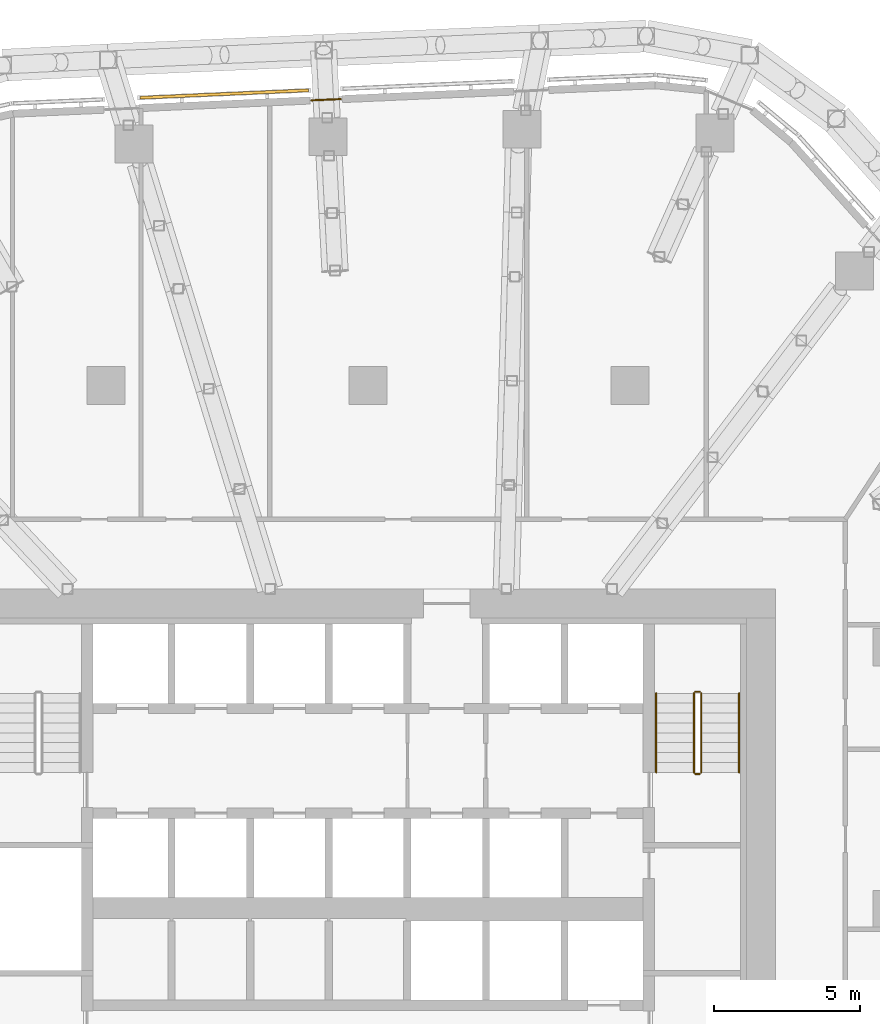
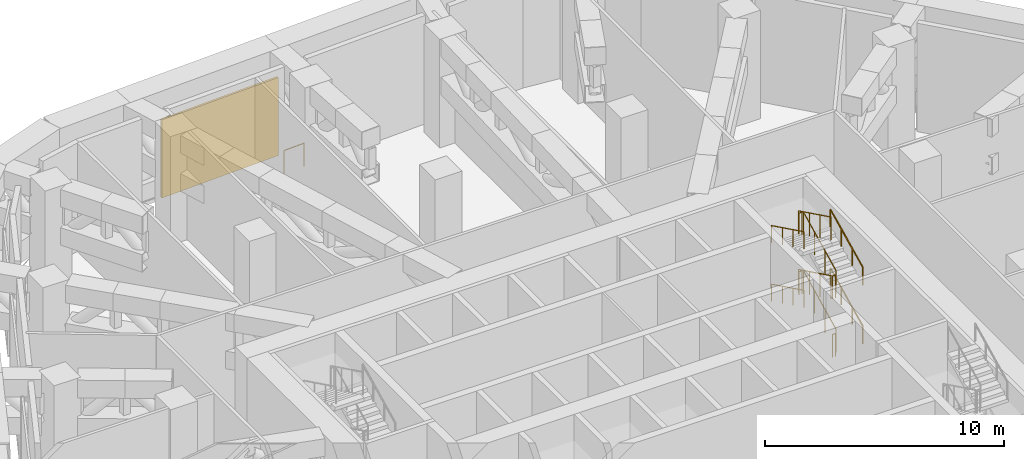
# One storey, part 29 of 30: 13 railings, 1 covering, 1 element without a shape of its own.
"""IFC4 building model written with IfcOpenShell, lengths in metres."""

from ifc_helpers import new_model, si_unit, direction, frame, origin, origin_2d, place, context, subcontext, project, spatial, rectangle, circle, extrude, material, layer, layer_set, type_object, element, aggregate, save


model = new_model("IFC4")

# Units and contexts
model_context = context("Model", 3, precision=1e-05, world=origin(), true_north=direction((0.0, 1.0)))
body_context = subcontext(model_context, "Body", "Model", "MODEL_VIEW")
ifc_project = project(units=[si_unit("LENGTHUNIT", "METRE"), si_unit("AREAUNIT", "SQUARE_METRE"), si_unit("VOLUMEUNIT", "CUBIC_METRE"), si_unit("PLANEANGLEUNIT", "RADIAN"), si_unit("MASSUNIT", "GRAM", prefix="KILO")], contexts=[model_context])

# Site, building, storey
site_placement = place(None, origin())
site = spatial("IfcSite", under=ifc_project, at=site_placement, CompositionType="ELEMENT")
building_placement = place(site_placement, origin())
building = spatial("IfcBuilding", under=site, at=building_placement, Name="Dongbaek Canopy Tower", CompositionType="ELEMENT")
storey_placement = place(building_placement, frame((0.0, 0.0, 145.60009765625)))
storey = spatial("IfcBuildingStorey", under=building, at=storey_placement, Name="L32", CompositionType="ELEMENT", Elevation=145.60009765625)

# Curtain wall, covering
ifc_material_1 = material(Name="Aluminium 6063-T6 pale anodised", Category="aluminium")
ifc_layer_1 = layer(ifc_material_1, 0.14990234375)
ifc_layer_set_1 = layer_set([ifc_layer_1], Name="CW-7 louvre curtain wall")
curtain_wall_type = type_object("IfcCurtainWallType", Name="CW-7 louvre curtain wall", PredefinedType="NOTDEFINED", material=ifc_layer_set_1)
curtain_wall_placement = place(storey_placement, origin())
curtain_wall = element("IfcCurtainWall", 1, at=curtain_wall_placement, inside=storey, type_object=curtain_wall_type, Name="CW-7 louvre wall L32 F1", PredefinedType="NOTDEFINED")
ifc_material_2 = material(Name="Aluminium 6063-T6 pale metal louvre blades", Category="aluminium")
ifc_layer_2 = layer(ifc_material_2, 0.10009765625)
ifc_layer_set_2 = layer_set([ifc_layer_2], Name="Louvre LV bank 100 x 4000")
covering_type = type_object("IfcCoveringType", Name="Louvre LV bank 100 x 4000", PredefinedType="CLADDING", material=ifc_layer_set_2)
covering_placement = place(storey_placement, frame((-4.942626953125, 28.010009765625, 0.77490234375), z_axis=(0.0, 0.0, 1.0), x_axis=(-0.999015616031, -0.044359879696, 0.0)))
covering = element("IfcCovering", 2, at=covering_placement, type_object=covering_type, Name="Louvre L32 F1.3.1", PredefinedType="CLADDING", context=body_context, shape_type="SweptSolid", body=[
    extrude(rectangle(XDim=5.78955078125, YDim=0.10009765625, at=origin_2d()), origin(), (0.0, 0.0, 1.0), 4.0),
])
aggregate(curtain_wall, [covering])

# Railings
ifc_material_3 = material(Name="Stainless steel", Category="steel")
railing_type_1 = type_object("IfcRailingType", Name="Plant opening guard 1200", PredefinedType="GUARDRAIL", material=ifc_material_3)
railing_1_placement = place(storey_placement, frame((-0.9384765625, 27.83740234375, 0.0)))
element("IfcRailing", 3, at=railing_1_placement, inside=storey, type_object=railing_type_1, Name="Plant opening guard L32 F1 2", PredefinedType="GUARDRAIL", context=body_context, shape_type="SweptSolid", body=[
    extrude(circle(Radius=0.02392578125, at=origin_2d()), frame((0.0, 0.0, 1.17578125), z_axis=(-0.999018120772, -0.04430343518, 0.0), x_axis=(0.04430343518, -0.999018120772, 0.0)), (0.0, 0.0, 1.0), 1.0029296875),
    extrude(circle(Radius=0.02099609375, at=origin_2d()), origin(), (0.0, 0.0, 1.0), 1.15185546875),
    extrude(circle(Radius=0.02099609375, at=origin_2d()), frame((-1.001953125, -0.04443359375, 0.0)), (0.0, 0.0, 1.0), 1.15185546875),
])
ifc_material_4 = material(Name="Stainless steel tube and balusters", Category="steel")
railing_type_2 = type_object("IfcRailingType", Name="Stair guard 1200", PredefinedType="GUARDRAIL", material=ifc_material_4)
railing_2_placement = place(storey_placement, frame((11.449951171875, 4.699951171875, 0.16650390625)))
element("IfcRailing", 4, at=railing_2_placement, inside=storey, type_object=railing_type_2, Name="L32 ST-A stair guard 1", PredefinedType="GUARDRAIL", context=body_context, shape_type="SweptSolid", body=[
    extrude(circle(Radius=0.02392578125, at=origin_2d()), frame((0.0, 0.0, 1.17578125), z_axis=(0.0, 0.89789761255, 0.440204358653), x_axis=(-1.0, 0.0, 0.0)), (0.0, 0.0, 1.0), 3.029296875),
    extrude(circle(Radius=0.02099609375, at=origin_2d()), origin(), (0.0, 0.0, 1.0), 1.15185546875),
    extrude(circle(Radius=0.02099609375, at=origin_2d()), frame((0.0, 0.90673828125, 0.444580078125)), (0.0, 0.0, 1.0), 1.15185546875),
    extrude(circle(Radius=0.02099609375, at=origin_2d()), frame((0.0, 1.813232421875, 0.888916015625)), (0.0, 0.0, 1.0), 1.15185546875),
    extrude(circle(Radius=0.02099609375, at=origin_2d()), frame((0.0, 2.719970703125, 1.33349609375)), (0.0, 0.0, 1.0), 1.15185546875),
])
railing_3_placement = place(storey_placement, frame((11.39990234375, 7.469970703125, 1.5)))
element("IfcRailing", 5, at=railing_3_placement, inside=storey, type_object=railing_type_2, Name="L32 ST-A stair guard 2", PredefinedType="GUARDRAIL", context=body_context, shape_type="SweptSolid", body=[
    extrude(circle(Radius=0.02392578125, at=origin_2d()), frame((0.0, 0.0, 1.17578125), z_axis=(-1.0, 0.0, 0.0), x_axis=(0.0, -1.0, 0.0)), (0.0, 0.0, 1.0), 0.14990234375),
    extrude(circle(Radius=0.02099609375, at=origin_2d()), origin(), (0.0, 0.0, 1.0), 1.15185546875),
    extrude(circle(Radius=0.02099609375, at=origin_2d()), frame((-0.14990234375, 0.0, 0.0)), (0.0, 0.0, 1.0), 1.15185546875),
])
railing_4_placement = place(storey_placement, frame((11.199951171875, 7.419921875, 1.66650390625)))
element("IfcRailing", 6, at=railing_4_placement, inside=storey, type_object=railing_type_2, Name="L32 ST-A stair guard 3", PredefinedType="GUARDRAIL", context=body_context, shape_type="SweptSolid", body=[
    extrude(circle(Radius=0.02392578125, at=origin_2d()), frame((0.0, 0.0, 1.17578125), z_axis=(0.0, -0.89789761255, 0.440204358653), x_axis=(1.0, 0.0, 0.0)), (0.0, 0.0, 1.0), 3.029296875),
    extrude(circle(Radius=0.02099609375, at=origin_2d()), origin(), (0.0, 0.0, 1.0), 1.15185546875),
    extrude(circle(Radius=0.02099609375, at=origin_2d()), frame((0.0, -0.90673828125, 0.444580078125)), (0.0, 0.0, 1.0), 1.15185546875),
    extrude(circle(Radius=0.02099609375, at=origin_2d()), frame((0.0, -1.813232421875, 0.888916015625)), (0.0, 0.0, 1.0), 1.15185546875),
    extrude(circle(Radius=0.02099609375, at=origin_2d()), frame((0.0, -2.719970703125, 1.33349609375)), (0.0, 0.0, 1.0), 1.15185546875),
])
railing_5_placement = place(storey_placement, frame((11.39990234375, 4.64990234375, 3.0)))
element("IfcRailing", 7, at=railing_5_placement, inside=storey, type_object=railing_type_2, Name="L32 ST-A stair guard 4", PredefinedType="GUARDRAIL", context=body_context, shape_type="SweptSolid", body=[
    extrude(circle(Radius=0.02392578125, at=origin_2d()), frame((0.0, 0.0, 1.17578125), z_axis=(-1.0, 0.0, 0.0), x_axis=(0.0, -1.0, 0.0)), (0.0, 0.0, 1.0), 0.14990234375),
    extrude(circle(Radius=0.02099609375, at=origin_2d()), origin(), (0.0, 0.0, 1.0), 1.15185546875),
    extrude(circle(Radius=0.02099609375, at=origin_2d()), frame((-0.14990234375, 0.0, 0.0)), (0.0, 0.0, 1.0), 1.15185546875),
])
railing_6_placement = place(storey_placement, frame((11.449951171875, 4.699951171875, 3.16650390625)))
element("IfcRailing", 8, at=railing_6_placement, inside=storey, type_object=railing_type_2, Name="L32 ST-A stair guard 5", PredefinedType="GUARDRAIL", context=body_context, shape_type="SweptSolid", body=[
    extrude(circle(Radius=0.02392578125, at=origin_2d()), frame((0.0, 0.0, 1.17578125), z_axis=(0.0, 0.89789761255, 0.440204358653), x_axis=(-1.0, 0.0, 0.0)), (0.0, 0.0, 1.0), 3.029296875),
    extrude(circle(Radius=0.02099609375, at=origin_2d()), origin(), (0.0, 0.0, 1.0), 1.15185546875),
    extrude(circle(Radius=0.02099609375, at=origin_2d()), frame((0.0, 0.90673828125, 0.444580078125)), (0.0, 0.0, 1.0), 1.15185546875),
    extrude(circle(Radius=0.02099609375, at=origin_2d()), frame((0.0, 1.813232421875, 0.888916015625)), (0.0, 0.0, 1.0), 1.15185546875),
    extrude(circle(Radius=0.02099609375, at=origin_2d()), frame((0.0, 2.719970703125, 1.33349609375)), (0.0, 0.0, 1.0), 1.15185546875),
])
railing_7_placement = place(storey_placement, frame((11.39990234375, 7.469970703125, 4.5)))
element("IfcRailing", 9, at=railing_7_placement, inside=storey, type_object=railing_type_2, Name="L32 ST-A stair guard 6", PredefinedType="GUARDRAIL", context=body_context, shape_type="SweptSolid", body=[
    extrude(circle(Radius=0.02392578125, at=origin_2d()), frame((0.0, 0.0, 1.17578125), z_axis=(-1.0, 0.0, 0.0), x_axis=(0.0, -1.0, 0.0)), (0.0, 0.0, 1.0), 0.14990234375),
    extrude(circle(Radius=0.02099609375, at=origin_2d()), origin(), (0.0, 0.0, 1.0), 1.15185546875),
    extrude(circle(Radius=0.02099609375, at=origin_2d()), frame((-0.14990234375, 0.0, 0.0)), (0.0, 0.0, 1.0), 1.15185546875),
])
railing_8_placement = place(storey_placement, frame((11.199951171875, 7.419921875, 4.66650390625)))
element("IfcRailing", 10, at=railing_8_placement, inside=storey, type_object=railing_type_2, Name="L32 ST-A stair guard 7", PredefinedType="GUARDRAIL", context=body_context, shape_type="SweptSolid", body=[
    extrude(circle(Radius=0.02392578125, at=origin_2d()), frame((0.0, 0.0, 1.17578125), z_axis=(0.0, -0.89789761255, 0.440204358653), x_axis=(1.0, 0.0, 0.0)), (0.0, 0.0, 1.0), 3.029296875),
    extrude(circle(Radius=0.02099609375, at=origin_2d()), origin(), (0.0, 0.0, 1.0), 1.15185546875),
    extrude(circle(Radius=0.02099609375, at=origin_2d()), frame((0.0, -0.90673828125, 0.444580078125)), (0.0, 0.0, 1.0), 1.15185546875),
    extrude(circle(Radius=0.02099609375, at=origin_2d()), frame((0.0, -1.813232421875, 0.888916015625)), (0.0, 0.0, 1.0), 1.15185546875),
    extrude(circle(Radius=0.02099609375, at=origin_2d()), frame((0.0, -2.719970703125, 1.33349609375)), (0.0, 0.0, 1.0), 1.15185546875),
])
railing_9_placement = place(storey_placement, frame((11.39990234375, 4.64990234375, 0.0)))
element("IfcRailing", 11, at=railing_9_placement, inside=storey, type_object=railing_type_2, Name="L32 ST-A stair guard 8", PredefinedType="GUARDRAIL", context=body_context, shape_type="SweptSolid", body=[
    extrude(circle(Radius=0.02392578125, at=origin_2d()), frame((0.0, 0.0, 1.17578125), z_axis=(-1.0, 0.0, 0.0), x_axis=(0.0, -1.0, 0.0)), (0.0, 0.0, 1.0), 0.14990234375),
    extrude(circle(Radius=0.02099609375, at=origin_2d()), origin(), (0.0, 0.0, 1.0), 1.15185546875),
    extrude(circle(Radius=0.02099609375, at=origin_2d()), frame((-0.14990234375, 0.0, 0.0)), (0.0, 0.0, 1.0), 1.15185546875),
])
ifc_material_5 = material(Name="Stainless steel tube", Category="steel")
railing_type_3 = type_object("IfcRailingType", Name="Stair handrail 900", PredefinedType="HANDRAIL", material=ifc_material_5)
railing_10_placement = place(storey_placement, frame((12.75, 4.699951171875, 0.16650390625)))
element("IfcRailing", 12, at=railing_10_placement, inside=storey, type_object=railing_type_3, Name="L32 ST-A stair handrail 1", PredefinedType="HANDRAIL", context=body_context, shape_type="SweptSolid", body=[
    extrude(circle(Radius=0.02392578125, at=origin_2d()), frame((0.0, 0.0, 0.8759765625), z_axis=(0.0, 0.89789761255, 0.440204358653), x_axis=(-1.0, 0.0, 0.0)), (0.0, 0.0, 1.0), 3.029296875),
    extrude(circle(Radius=0.02099609375, at=origin_2d()), origin(), (0.0, 0.0, 1.0), 0.851806640625),
    extrude(circle(Radius=0.02099609375, at=origin_2d()), frame((0.0, 0.90673828125, 0.444580078125)), (0.0, 0.0, 1.0), 0.851806640625),
    extrude(circle(Radius=0.02099609375, at=origin_2d()), frame((0.0, 1.813232421875, 0.888916015625)), (0.0, 0.0, 1.0), 0.851806640625),
    extrude(circle(Radius=0.02099609375, at=origin_2d()), frame((0.0, 2.719970703125, 1.33349609375)), (0.0, 0.0, 1.0), 0.851806640625),
])
railing_11_placement = place(storey_placement, frame((9.89990234375, 7.419921875, 1.66650390625)))
element("IfcRailing", 13, at=railing_11_placement, inside=storey, type_object=railing_type_3, Name="L32 ST-A stair handrail 2", PredefinedType="HANDRAIL", context=body_context, shape_type="SweptSolid", body=[
    extrude(circle(Radius=0.02392578125, at=origin_2d()), frame((0.0, 0.0, 0.8759765625), z_axis=(0.0, -0.89789761255, 0.440204358653), x_axis=(1.0, 0.0, 0.0)), (0.0, 0.0, 1.0), 3.029296875),
    extrude(circle(Radius=0.02099609375, at=origin_2d()), origin(), (0.0, 0.0, 1.0), 0.851806640625),
    extrude(circle(Radius=0.02099609375, at=origin_2d()), frame((0.0, -0.90673828125, 0.444580078125)), (0.0, 0.0, 1.0), 0.851806640625),
    extrude(circle(Radius=0.02099609375, at=origin_2d()), frame((0.0, -1.813232421875, 0.888916015625)), (0.0, 0.0, 1.0), 0.851806640625),
    extrude(circle(Radius=0.02099609375, at=origin_2d()), frame((0.0, -2.719970703125, 1.33349609375)), (0.0, 0.0, 1.0), 0.851806640625),
])
railing_12_placement = place(storey_placement, frame((12.75, 4.699951171875, 3.16650390625)))
element("IfcRailing", 14, at=railing_12_placement, inside=storey, type_object=railing_type_3, Name="L32 ST-A stair handrail 3", PredefinedType="HANDRAIL", context=body_context, shape_type="SweptSolid", body=[
    extrude(circle(Radius=0.02392578125, at=origin_2d()), frame((0.0, 0.0, 0.8759765625), z_axis=(0.0, 0.89789761255, 0.440204358653), x_axis=(-1.0, 0.0, 0.0)), (0.0, 0.0, 1.0), 3.029296875),
    extrude(circle(Radius=0.02099609375, at=origin_2d()), origin(), (0.0, 0.0, 1.0), 0.851806640625),
    extrude(circle(Radius=0.02099609375, at=origin_2d()), frame((0.0, 0.90673828125, 0.444580078125)), (0.0, 0.0, 1.0), 0.851806640625),
    extrude(circle(Radius=0.02099609375, at=origin_2d()), frame((0.0, 1.813232421875, 0.888916015625)), (0.0, 0.0, 1.0), 0.851806640625),
    extrude(circle(Radius=0.02099609375, at=origin_2d()), frame((0.0, 2.719970703125, 1.33349609375)), (0.0, 0.0, 1.0), 0.851806640625),
])
railing_13_placement = place(storey_placement, frame((9.89990234375, 7.419921875, 4.66650390625)))
element("IfcRailing", 15, at=railing_13_placement, inside=storey, type_object=railing_type_3, Name="L32 ST-A stair handrail 4", PredefinedType="HANDRAIL", context=body_context, shape_type="SweptSolid", body=[
    extrude(circle(Radius=0.02392578125, at=origin_2d()), frame((0.0, 0.0, 0.8759765625), z_axis=(0.0, -0.89789761255, 0.440204358653), x_axis=(1.0, 0.0, 0.0)), (0.0, 0.0, 1.0), 3.029296875),
    extrude(circle(Radius=0.02099609375, at=origin_2d()), origin(), (0.0, 0.0, 1.0), 0.851806640625),
    extrude(circle(Radius=0.02099609375, at=origin_2d()), frame((0.0, -0.90673828125, 0.444580078125)), (0.0, 0.0, 1.0), 0.851806640625),
    extrude(circle(Radius=0.02099609375, at=origin_2d()), frame((0.0, -1.813232421875, 0.888916015625)), (0.0, 0.0, 1.0), 0.851806640625),
    extrude(circle(Radius=0.02099609375, at=origin_2d()), frame((0.0, -2.719970703125, 1.33349609375)), (0.0, 0.0, 1.0), 0.851806640625),
])

save(model, "model.ifc")
